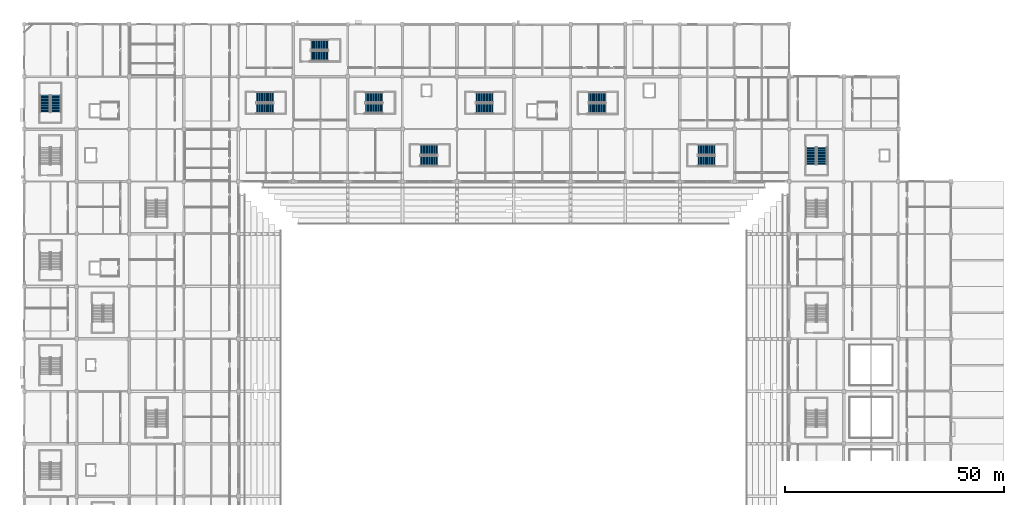
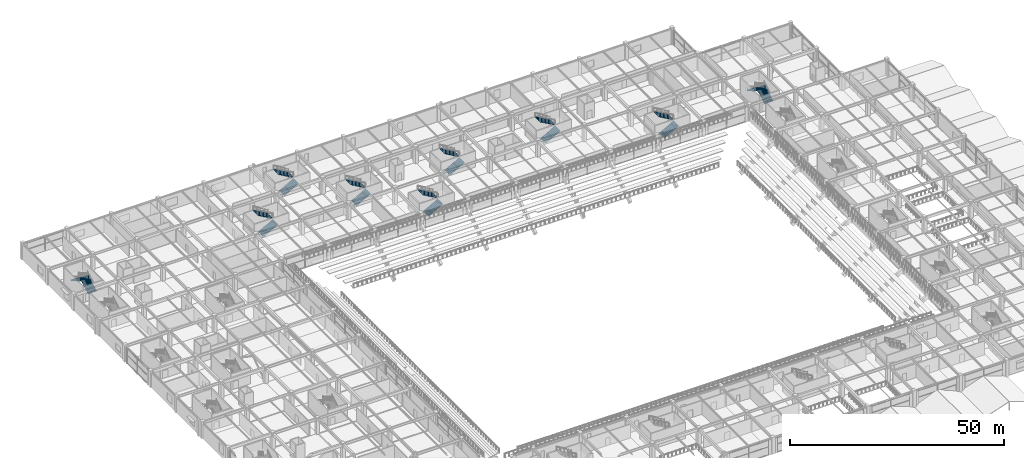
# One storey, part 96 of 134: 18 stair flights, 9 elements without a shape of their own.
"""IFC4 building model written with IfcOpenShell, lengths in metres."""

from ifc_helpers import new_model, si_unit, direction, frame, origin, place, context, subcontext, project, spatial, polyline, outline, extrude, material, type_object, element, aggregate, save


model = new_model("IFC4")

# Units and contexts
model_context = context("Model", 3, precision=1e-05, world=origin(), true_north=direction((0.0, 1.0)))
body_context = subcontext(model_context, "Body", "Model", "MODEL_VIEW")
ifc_project = project(units=[si_unit("LENGTHUNIT", "METRE"), si_unit("AREAUNIT", "SQUARE_METRE"), si_unit("VOLUMEUNIT", "CUBIC_METRE"), si_unit("PLANEANGLEUNIT", "RADIAN"), si_unit("MASSUNIT", "GRAM", prefix="KILO")], contexts=[model_context])

# Site, building, storey
site_placement = place(None, origin())
site = spatial("IfcSite", under=ifc_project, at=site_placement, CompositionType="ELEMENT")
building_placement = place(site_placement, origin())
building = spatial("IfcBuilding", under=site, at=building_placement, Name="Kazenohara Klinker Stadium", CompositionType="ELEMENT")
storey_placement = place(building_placement, frame((0.0, 0.0, 5.39990234375)))
storey = spatial("IfcBuildingStorey", under=building, at=storey_placement, Name="L01", CompositionType="ELEMENT", Elevation=5.39990234375)

# Stair, stair flights
ifc_material = material(Name="Concrete C40/50", Category="concrete")
stair_type_1 = type_object("IfcStairType", Name="STR-DL-2300", PredefinedType="HALF_TURN_STAIR", material=ifc_material)
stair_1_placement = place(storey_placement, origin())
stair_1 = element("IfcStair", 1, at=stair_1_placement, inside=storey, type_object=stair_type_1, Name="L01 Enclosed escape stair ST09", PredefinedType="HALF_TURN_STAIR")
stair_flight_type_1 = type_object("IfcStairFlightType", Name="FLT-DL-2300-4800", PredefinedType="STRAIGHT", material=ifc_material)
stair_flight_1_placement = place(storey_placement, frame((78.090087890625, 148.75, 0.0), z_axis=(0.0, 0.0, 1.0), x_axis=(1.0, 0.0, 0.0)))
stair_flight_1 = element("IfcStairFlight", 2, at=stair_flight_1_placement, type_object=stair_flight_type_1, Name="ST09 flight 1", NumberOfRisers=15, NumberOfTreads=14, PredefinedType="STRAIGHT", RiserHeight=0.16, TreadLength=0.28, context=body_context, shape_type="SweptSolid", body=[
    extrude(outline(polyline([(0.0, 0.0), (0.0, 0.159912109375), (0.280029296875, 0.159912109375), (0.280029296875, 0.320068359375), (0.56005859375, 0.320068359375), (0.56005859375, 0.47998046875), (0.840087890625, 0.47998046875), (0.840087890625, 0.639892578125), (1.1201171875, 0.639892578125), (1.1201171875, 0.800048828125), (1.39990234375, 0.800048828125), (1.39990234375, 0.9599609375), (1.679931640625, 0.9599609375), (1.679931640625, 1.1201171875), (1.9599609375, 1.1201171875), (1.9599609375, 1.280029296875), (2.239990234375, 1.280029296875), (2.239990234375, 1.43994140625), (2.52001953125, 1.43994140625), (2.52001953125, 1.60009765625), (2.800048828125, 1.60009765625), (2.800048828125, 1.760009765625), (3.080078125, 1.760009765625), (3.080078125, 1.919921875), (3.360107421875, 1.919921875), (3.360107421875, 2.080078125), (3.639892578125, 2.080078125), (3.639892578125, 2.239990234375), (3.919921875, 2.239990234375), (3.919921875, 2.39990234375), (3.919921875, 2.0673828125), (0.30224609375, 0.0), (0.0, 0.0)])), frame((0.0, 1.14990234375, 0.0), z_axis=(0.0, -1.0, 0.0), x_axis=(1.0, 0.0, 0.0)), (0.0, 0.0, 1.0), 2.300048828125),
])
stair_flight_2_placement = place(storey_placement, frame((82.010009765625, 151.25, 2.400146484375), z_axis=(0.0, 0.0, 1.0), x_axis=(-1.0, 0.0, 0.0)))
stair_flight_2 = element("IfcStairFlight", 3, at=stair_flight_2_placement, type_object=stair_flight_type_1, Name="ST09 flight 2", NumberOfRisers=15, NumberOfTreads=14, PredefinedType="STRAIGHT", RiserHeight=0.16, TreadLength=0.28, context=body_context, shape_type="SweptSolid", body=[
    extrude(outline(polyline([(0.0, 0.0), (0.0, 0.159912109375), (0.280029296875, 0.159912109375), (0.280029296875, 0.320068359375), (0.56005859375, 0.320068359375), (0.56005859375, 0.47998046875), (0.840087890625, 0.47998046875), (0.840087890625, 0.639892578125), (1.1201171875, 0.639892578125), (1.1201171875, 0.800048828125), (1.39990234375, 0.800048828125), (1.39990234375, 0.9599609375), (1.679931640625, 0.9599609375), (1.679931640625, 1.1201171875), (1.9599609375, 1.1201171875), (1.9599609375, 1.280029296875), (2.239990234375, 1.280029296875), (2.239990234375, 1.43994140625), (2.52001953125, 1.43994140625), (2.52001953125, 1.60009765625), (2.800048828125, 1.60009765625), (2.800048828125, 1.760009765625), (3.080078125, 1.760009765625), (3.080078125, 1.919921875), (3.360107421875, 1.919921875), (3.360107421875, 2.080078125), (3.639892578125, 2.080078125), (3.639892578125, 2.239990234375), (3.919921875, 2.239990234375), (3.919921875, 2.39990234375), (3.919921875, 2.0673828125), (0.30224609375, 0.0), (0.0, 0.0)])), frame((0.0, 1.14990234375, 0.0), z_axis=(0.0, -1.0, 0.0), x_axis=(1.0, 0.0, 0.0)), (0.0, 0.0, 1.0), 2.300048828125),
])
aggregate(stair_1, [stair_flight_1, stair_flight_2])

stair_type_2 = type_object("IfcStairType", Name="STR-DL-2310", PredefinedType="HALF_TURN_STAIR", material=ifc_material)
stair_2_placement = place(storey_placement, origin())
stair_2 = element("IfcStair", 4, at=stair_2_placement, inside=storey, type_object=stair_type_2, Name="L01 Enclosed escape stair ST06", PredefinedType="HALF_TURN_STAIR")
stair_flight_type_2 = type_object("IfcStairFlightType", Name="FLT-DL-2310-4800", PredefinedType="STRAIGHT", material=ifc_material)
stair_flight_3_placement = place(storey_placement, frame((7.2548828125, 147.85009765625, 0.0), z_axis=(0.0, 0.0, 1.0), x_axis=(0.0, 1.0, 0.0)))
stair_flight_3 = element("IfcStairFlight", 5, at=stair_flight_3_placement, type_object=stair_flight_type_2, Name="ST06 flight 1", NumberOfRisers=15, NumberOfTreads=14, PredefinedType="STRAIGHT", RiserHeight=0.16, TreadLength=0.28, context=body_context, shape_type="SweptSolid", body=[
    extrude(outline(polyline([(0.0, 0.0), (0.0, 0.159912109375), (0.280029296875, 0.159912109375), (0.280029296875, 0.320068359375), (0.56005859375, 0.320068359375), (0.56005859375, 0.47998046875), (0.840087890625, 0.47998046875), (0.840087890625, 0.639892578125), (1.1201171875, 0.639892578125), (1.1201171875, 0.800048828125), (1.39990234375, 0.800048828125), (1.39990234375, 0.9599609375), (1.679931640625, 0.9599609375), (1.679931640625, 1.1201171875), (1.9599609375, 1.1201171875), (1.9599609375, 1.280029296875), (2.239990234375, 1.280029296875), (2.239990234375, 1.43994140625), (2.52001953125, 1.43994140625), (2.52001953125, 1.60009765625), (2.800048828125, 1.60009765625), (2.800048828125, 1.760009765625), (3.080078125, 1.760009765625), (3.080078125, 1.919921875), (3.360107421875, 1.919921875), (3.360107421875, 2.080078125), (3.639892578125, 2.080078125), (3.639892578125, 2.239990234375), (3.919921875, 2.239990234375), (3.919921875, 2.39990234375), (3.919921875, 2.0673828125), (0.30224609375, 0.0), (0.0, 0.0)])), frame((0.0, 1.155029296875, 0.0), z_axis=(0.0, -1.0, 0.0), x_axis=(1.0, 0.0, 0.0)), (0.0, 0.0, 1.0), 2.31005859375),
])
stair_flight_4_placement = place(storey_placement, frame((4.7451171875, 151.77001953125, 2.400146484375), z_axis=(0.0, 0.0, 1.0), x_axis=(0.0, -1.0, 0.0)))
stair_flight_4 = element("IfcStairFlight", 6, at=stair_flight_4_placement, type_object=stair_flight_type_2, Name="ST06 flight 2", NumberOfRisers=15, NumberOfTreads=14, PredefinedType="STRAIGHT", RiserHeight=0.16, TreadLength=0.28, context=body_context, shape_type="SweptSolid", body=[
    extrude(outline(polyline([(0.0, 0.0), (0.0, 0.159912109375), (0.280029296875, 0.159912109375), (0.280029296875, 0.320068359375), (0.56005859375, 0.320068359375), (0.56005859375, 0.47998046875), (0.840087890625, 0.47998046875), (0.840087890625, 0.639892578125), (1.1201171875, 0.639892578125), (1.1201171875, 0.800048828125), (1.39990234375, 0.800048828125), (1.39990234375, 0.9599609375), (1.679931640625, 0.9599609375), (1.679931640625, 1.1201171875), (1.9599609375, 1.1201171875), (1.9599609375, 1.280029296875), (2.239990234375, 1.280029296875), (2.239990234375, 1.43994140625), (2.52001953125, 1.43994140625), (2.52001953125, 1.60009765625), (2.800048828125, 1.60009765625), (2.800048828125, 1.760009765625), (3.080078125, 1.760009765625), (3.080078125, 1.919921875), (3.360107421875, 1.919921875), (3.360107421875, 2.080078125), (3.639892578125, 2.080078125), (3.639892578125, 2.239990234375), (3.919921875, 2.239990234375), (3.919921875, 2.39990234375), (3.919921875, 2.0673828125), (0.30224609375, 0.0), (0.0, 0.0)])), frame((0.0, 1.155029296875, 0.0), z_axis=(0.0, -1.0, 0.0), x_axis=(1.0, 0.0, 0.0)), (0.0, 0.0, 1.0), 2.31005859375),
])
aggregate(stair_2, [stair_flight_3, stair_flight_4])

stair_3_placement = place(storey_placement, origin())
stair_3 = element("IfcStair", 7, at=stair_3_placement, inside=storey, type_object=stair_type_2, Name="L01 Enclosed escape stair ST10", PredefinedType="HALF_TURN_STAIR")
stair_flight_5_placement = place(storey_placement, frame((103.35009765625, 148.7451171875, 0.0), z_axis=(0.0, 0.0, 1.0), x_axis=(1.0, 0.0, 0.0)))
stair_flight_5 = element("IfcStairFlight", 8, at=stair_flight_5_placement, type_object=stair_flight_type_2, Name="ST10 flight 1", NumberOfRisers=15, NumberOfTreads=14, PredefinedType="STRAIGHT", RiserHeight=0.16, TreadLength=0.28, context=body_context, shape_type="SweptSolid", body=[
    extrude(outline(polyline([(0.0, 0.0), (0.0, 0.159912109375), (0.280029296875, 0.159912109375), (0.280029296875, 0.320068359375), (0.56005859375, 0.320068359375), (0.56005859375, 0.47998046875), (0.840087890625, 0.47998046875), (0.840087890625, 0.639892578125), (1.1201171875, 0.639892578125), (1.1201171875, 0.800048828125), (1.39990234375, 0.800048828125), (1.39990234375, 0.9599609375), (1.679931640625, 0.9599609375), (1.679931640625, 1.1201171875), (1.9599609375, 1.1201171875), (1.9599609375, 1.280029296875), (2.239990234375, 1.280029296875), (2.239990234375, 1.43994140625), (2.52001953125, 1.43994140625), (2.52001953125, 1.60009765625), (2.800048828125, 1.60009765625), (2.800048828125, 1.760009765625), (3.080078125, 1.760009765625), (3.080078125, 1.919921875), (3.360107421875, 1.919921875), (3.360107421875, 2.080078125), (3.639892578125, 2.080078125), (3.639892578125, 2.239990234375), (3.919921875, 2.239990234375), (3.919921875, 2.39990234375), (3.919921875, 2.0673828125), (0.30224609375, 0.0), (0.0, 0.0)])), frame((0.0, 1.155029296875, 0.0), z_axis=(0.0, -1.0, 0.0), x_axis=(1.0, 0.0, 0.0)), (0.0, 0.0, 1.0), 2.31005859375),
])
stair_flight_6_placement = place(storey_placement, frame((107.27001953125, 151.2548828125, 2.400146484375), z_axis=(0.0, 0.0, 1.0), x_axis=(-1.0, 0.0, 0.0)))
stair_flight_6 = element("IfcStairFlight", 9, at=stair_flight_6_placement, type_object=stair_flight_type_2, Name="ST10 flight 2", NumberOfRisers=15, NumberOfTreads=14, PredefinedType="STRAIGHT", RiserHeight=0.16, TreadLength=0.28, context=body_context, shape_type="SweptSolid", body=[
    extrude(outline(polyline([(0.0, 0.0), (0.0, 0.159912109375), (0.280029296875, 0.159912109375), (0.280029296875, 0.320068359375), (0.56005859375, 0.320068359375), (0.56005859375, 0.47998046875), (0.840087890625, 0.47998046875), (0.840087890625, 0.639892578125), (1.1201171875, 0.639892578125), (1.1201171875, 0.800048828125), (1.39990234375, 0.800048828125), (1.39990234375, 0.9599609375), (1.679931640625, 0.9599609375), (1.679931640625, 1.1201171875), (1.9599609375, 1.1201171875), (1.9599609375, 1.280029296875), (2.239990234375, 1.280029296875), (2.239990234375, 1.43994140625), (2.52001953125, 1.43994140625), (2.52001953125, 1.60009765625), (2.800048828125, 1.60009765625), (2.800048828125, 1.760009765625), (3.080078125, 1.760009765625), (3.080078125, 1.919921875), (3.360107421875, 1.919921875), (3.360107421875, 2.080078125), (3.639892578125, 2.080078125), (3.639892578125, 2.239990234375), (3.919921875, 2.239990234375), (3.919921875, 2.39990234375), (3.919921875, 2.0673828125), (0.30224609375, 0.0), (0.0, 0.0)])), frame((0.0, 1.155029296875, 0.0), z_axis=(0.0, -1.0, 0.0), x_axis=(1.0, 0.0, 0.0)), (0.0, 0.0, 1.0), 2.31005859375),
])
aggregate(stair_3, [stair_flight_5, stair_flight_6])

stair_type_3 = type_object("IfcStairType", Name="STR-DL-2330", PredefinedType="HALF_TURN_STAIR", material=ifc_material)
stair_4_placement = place(storey_placement, origin())
stair_4 = element("IfcStair", 10, at=stair_4_placement, inside=storey, type_object=stair_type_3, Name="L01 Enclosed escape stair ST11", PredefinedType="HALF_TURN_STAIR")
stair_flight_type_3 = type_object("IfcStairFlightType", Name="FLT-DL-2330-4800", PredefinedType="STRAIGHT", material=ifc_material)
stair_flight_7_placement = place(storey_placement, frame((129.1201171875, 148.735107421875, 0.0), z_axis=(0.0, 0.0, 1.0), x_axis=(1.0, 0.0, 0.0)))
stair_flight_7 = element("IfcStairFlight", 11, at=stair_flight_7_placement, type_object=stair_flight_type_3, Name="ST11 flight 1", NumberOfRisers=15, NumberOfTreads=14, PredefinedType="STRAIGHT", RiserHeight=0.16, TreadLength=0.28, context=body_context, shape_type="SweptSolid", body=[
    extrude(outline(polyline([(0.0, 0.0), (0.0, 0.159912109375), (0.280029296875, 0.159912109375), (0.280029296875, 0.320068359375), (0.56005859375, 0.320068359375), (0.56005859375, 0.47998046875), (0.840087890625, 0.47998046875), (0.840087890625, 0.639892578125), (1.1201171875, 0.639892578125), (1.1201171875, 0.800048828125), (1.39990234375, 0.800048828125), (1.39990234375, 0.9599609375), (1.679931640625, 0.9599609375), (1.679931640625, 1.1201171875), (1.9599609375, 1.1201171875), (1.9599609375, 1.280029296875), (2.239990234375, 1.280029296875), (2.239990234375, 1.43994140625), (2.52001953125, 1.43994140625), (2.52001953125, 1.60009765625), (2.800048828125, 1.60009765625), (2.800048828125, 1.760009765625), (3.080078125, 1.760009765625), (3.080078125, 1.919921875), (3.360107421875, 1.919921875), (3.360107421875, 2.080078125), (3.639892578125, 2.080078125), (3.639892578125, 2.239990234375), (3.919921875, 2.239990234375), (3.919921875, 2.39990234375), (3.919921875, 2.0673828125), (0.30224609375, 0.0), (0.0, 0.0)])), frame((0.0, 1.1650390625, 0.0), z_axis=(0.0, -1.0, 0.0), x_axis=(1.0, 0.0, 0.0)), (0.0, 0.0, 1.0), 2.330078125),
])
stair_flight_8_placement = place(storey_placement, frame((133.0400390625, 151.264892578125, 2.400146484375), z_axis=(0.0, 0.0, 1.0), x_axis=(-1.0, 0.0, 0.0)))
stair_flight_8 = element("IfcStairFlight", 12, at=stair_flight_8_placement, type_object=stair_flight_type_3, Name="ST11 flight 2", NumberOfRisers=15, NumberOfTreads=14, PredefinedType="STRAIGHT", RiserHeight=0.16, TreadLength=0.28, context=body_context, shape_type="SweptSolid", body=[
    extrude(outline(polyline([(0.0, 0.0), (0.0, 0.159912109375), (0.280029296875, 0.159912109375), (0.280029296875, 0.320068359375), (0.56005859375, 0.320068359375), (0.56005859375, 0.47998046875), (0.840087890625, 0.47998046875), (0.840087890625, 0.639892578125), (1.1201171875, 0.639892578125), (1.1201171875, 0.800048828125), (1.39990234375, 0.800048828125), (1.39990234375, 0.9599609375), (1.679931640625, 0.9599609375), (1.679931640625, 1.1201171875), (1.9599609375, 1.1201171875), (1.9599609375, 1.280029296875), (2.239990234375, 1.280029296875), (2.239990234375, 1.43994140625), (2.52001953125, 1.43994140625), (2.52001953125, 1.60009765625), (2.800048828125, 1.60009765625), (2.800048828125, 1.760009765625), (3.080078125, 1.760009765625), (3.080078125, 1.919921875), (3.360107421875, 1.919921875), (3.360107421875, 2.080078125), (3.639892578125, 2.080078125), (3.639892578125, 2.239990234375), (3.919921875, 2.239990234375), (3.919921875, 2.39990234375), (3.919921875, 2.0673828125), (0.30224609375, 0.0), (0.0, 0.0)])), frame((0.0, 1.1650390625, 0.0), z_axis=(0.0, -1.0, 0.0), x_axis=(1.0, 0.0, 0.0)), (0.0, 0.0, 1.0), 2.330078125),
])
aggregate(stair_4, [stair_flight_7, stair_flight_8])

stair_5_placement = place(storey_placement, origin())
stair_5 = element("IfcStair", 13, at=stair_5_placement, inside=storey, type_object=stair_type_3, Name="L01 Enclosed escape stair ST15", PredefinedType="HALF_TURN_STAIR")
stair_flight_9_placement = place(storey_placement, frame((65.6201171875, 160.735107421875, 0.0), z_axis=(0.0, 0.0, 1.0), x_axis=(1.0, 0.0, 0.0)))
stair_flight_9 = element("IfcStairFlight", 14, at=stair_flight_9_placement, type_object=stair_flight_type_3, Name="ST15 flight 1", NumberOfRisers=15, NumberOfTreads=14, PredefinedType="STRAIGHT", RiserHeight=0.16, TreadLength=0.28, context=body_context, shape_type="SweptSolid", body=[
    extrude(outline(polyline([(0.0, 0.0), (0.0, 0.159912109375), (0.280029296875, 0.159912109375), (0.280029296875, 0.320068359375), (0.56005859375, 0.320068359375), (0.56005859375, 0.47998046875), (0.840087890625, 0.47998046875), (0.840087890625, 0.639892578125), (1.1201171875, 0.639892578125), (1.1201171875, 0.800048828125), (1.39990234375, 0.800048828125), (1.39990234375, 0.9599609375), (1.679931640625, 0.9599609375), (1.679931640625, 1.1201171875), (1.9599609375, 1.1201171875), (1.9599609375, 1.280029296875), (2.239990234375, 1.280029296875), (2.239990234375, 1.43994140625), (2.52001953125, 1.43994140625), (2.52001953125, 1.60009765625), (2.800048828125, 1.60009765625), (2.800048828125, 1.760009765625), (3.080078125, 1.760009765625), (3.080078125, 1.919921875), (3.360107421875, 1.919921875), (3.360107421875, 2.080078125), (3.639892578125, 2.080078125), (3.639892578125, 2.239990234375), (3.919921875, 2.239990234375), (3.919921875, 2.39990234375), (3.919921875, 2.0673828125), (0.30224609375, 0.0), (0.0, 0.0)])), frame((0.0, 1.1650390625, 0.0), z_axis=(0.0, -1.0, 0.0), x_axis=(1.0, 0.0, 0.0)), (0.0, 0.0, 1.0), 2.330078125),
])
stair_flight_10_placement = place(storey_placement, frame((69.5400390625, 163.264892578125, 2.400146484375), z_axis=(0.0, 0.0, 1.0), x_axis=(-1.0, 0.0, 0.0)))
stair_flight_10 = element("IfcStairFlight", 15, at=stair_flight_10_placement, type_object=stair_flight_type_3, Name="ST15 flight 2", NumberOfRisers=15, NumberOfTreads=14, PredefinedType="STRAIGHT", RiserHeight=0.16, TreadLength=0.28, context=body_context, shape_type="SweptSolid", body=[
    extrude(outline(polyline([(0.0, 0.0), (0.0, 0.159912109375), (0.280029296875, 0.159912109375), (0.280029296875, 0.320068359375), (0.56005859375, 0.320068359375), (0.56005859375, 0.47998046875), (0.840087890625, 0.47998046875), (0.840087890625, 0.639892578125), (1.1201171875, 0.639892578125), (1.1201171875, 0.800048828125), (1.39990234375, 0.800048828125), (1.39990234375, 0.9599609375), (1.679931640625, 0.9599609375), (1.679931640625, 1.1201171875), (1.9599609375, 1.1201171875), (1.9599609375, 1.280029296875), (2.239990234375, 1.280029296875), (2.239990234375, 1.43994140625), (2.52001953125, 1.43994140625), (2.52001953125, 1.60009765625), (2.800048828125, 1.60009765625), (2.800048828125, 1.760009765625), (3.080078125, 1.760009765625), (3.080078125, 1.919921875), (3.360107421875, 1.919921875), (3.360107421875, 2.080078125), (3.639892578125, 2.080078125), (3.639892578125, 2.239990234375), (3.919921875, 2.239990234375), (3.919921875, 2.39990234375), (3.919921875, 2.0673828125), (0.30224609375, 0.0), (0.0, 0.0)])), frame((0.0, 1.1650390625, 0.0), z_axis=(0.0, -1.0, 0.0), x_axis=(1.0, 0.0, 0.0)), (0.0, 0.0, 1.0), 2.330078125),
])
aggregate(stair_5, [stair_flight_9, stair_flight_10])

stair_6_placement = place(storey_placement, origin())
stair_6 = element("IfcStair", 16, at=stair_6_placement, inside=storey, type_object=stair_type_3, Name="L01 Enclosed escape stair ST19", PredefinedType="HALF_TURN_STAIR")
stair_flight_11_placement = place(storey_placement, frame((90.6201171875, 136.735107421875, 0.0), z_axis=(0.0, 0.0, 1.0), x_axis=(1.0, 0.0, 0.0)))
stair_flight_11 = element("IfcStairFlight", 17, at=stair_flight_11_placement, type_object=stair_flight_type_3, Name="ST19 flight 1", NumberOfRisers=15, NumberOfTreads=14, PredefinedType="STRAIGHT", RiserHeight=0.16, TreadLength=0.28, context=body_context, shape_type="SweptSolid", body=[
    extrude(outline(polyline([(0.0, 0.0), (0.0, 0.159912109375), (0.280029296875, 0.159912109375), (0.280029296875, 0.320068359375), (0.56005859375, 0.320068359375), (0.56005859375, 0.47998046875), (0.840087890625, 0.47998046875), (0.840087890625, 0.639892578125), (1.1201171875, 0.639892578125), (1.1201171875, 0.800048828125), (1.39990234375, 0.800048828125), (1.39990234375, 0.9599609375), (1.679931640625, 0.9599609375), (1.679931640625, 1.1201171875), (1.9599609375, 1.1201171875), (1.9599609375, 1.280029296875), (2.239990234375, 1.280029296875), (2.239990234375, 1.43994140625), (2.52001953125, 1.43994140625), (2.52001953125, 1.60009765625), (2.800048828125, 1.60009765625), (2.800048828125, 1.760009765625), (3.080078125, 1.760009765625), (3.080078125, 1.919921875), (3.360107421875, 1.919921875), (3.360107421875, 2.080078125), (3.639892578125, 2.080078125), (3.639892578125, 2.239990234375), (3.919921875, 2.239990234375), (3.919921875, 2.39990234375), (3.919921875, 2.0673828125), (0.30224609375, 0.0), (0.0, 0.0)])), frame((0.0, 1.1650390625, 0.0), z_axis=(0.0, -1.0, 0.0), x_axis=(1.0, 0.0, 0.0)), (0.0, 0.0, 1.0), 2.330078125),
])
stair_flight_12_placement = place(storey_placement, frame((94.5400390625, 139.264892578125, 2.400146484375), z_axis=(0.0, 0.0, 1.0), x_axis=(-1.0, 0.0, 0.0)))
stair_flight_12 = element("IfcStairFlight", 18, at=stair_flight_12_placement, type_object=stair_flight_type_3, Name="ST19 flight 2", NumberOfRisers=15, NumberOfTreads=14, PredefinedType="STRAIGHT", RiserHeight=0.16, TreadLength=0.28, context=body_context, shape_type="SweptSolid", body=[
    extrude(outline(polyline([(0.0, 0.0), (0.0, 0.159912109375), (0.280029296875, 0.159912109375), (0.280029296875, 0.320068359375), (0.56005859375, 0.320068359375), (0.56005859375, 0.47998046875), (0.840087890625, 0.47998046875), (0.840087890625, 0.639892578125), (1.1201171875, 0.639892578125), (1.1201171875, 0.800048828125), (1.39990234375, 0.800048828125), (1.39990234375, 0.9599609375), (1.679931640625, 0.9599609375), (1.679931640625, 1.1201171875), (1.9599609375, 1.1201171875), (1.9599609375, 1.280029296875), (2.239990234375, 1.280029296875), (2.239990234375, 1.43994140625), (2.52001953125, 1.43994140625), (2.52001953125, 1.60009765625), (2.800048828125, 1.60009765625), (2.800048828125, 1.760009765625), (3.080078125, 1.760009765625), (3.080078125, 1.919921875), (3.360107421875, 1.919921875), (3.360107421875, 2.080078125), (3.639892578125, 2.080078125), (3.639892578125, 2.239990234375), (3.919921875, 2.239990234375), (3.919921875, 2.39990234375), (3.919921875, 2.0673828125), (0.30224609375, 0.0), (0.0, 0.0)])), frame((0.0, 1.1650390625, 0.0), z_axis=(0.0, -1.0, 0.0), x_axis=(1.0, 0.0, 0.0)), (0.0, 0.0, 1.0), 2.330078125),
])
aggregate(stair_6, [stair_flight_11, stair_flight_12])

stair_type_4 = type_object("IfcStairType", Name="STR-DL-2340", PredefinedType="HALF_TURN_STAIR", material=ifc_material)
stair_7_placement = place(storey_placement, origin())
stair_7 = element("IfcStair", 19, at=stair_7_placement, inside=storey, type_object=stair_type_4, Name="L01 Enclosed escape stair ST08", PredefinedType="HALF_TURN_STAIR")
stair_flight_type_4 = type_object("IfcStairFlightType", Name="FLT-DL-2340-4800", PredefinedType="STRAIGHT", material=ifc_material)
stair_flight_13_placement = place(storey_placement, frame((53.1298828125, 148.72998046875, 0.0), z_axis=(0.0, 0.0, 1.0), x_axis=(1.0, 0.0, 0.0)))
stair_flight_13 = element("IfcStairFlight", 20, at=stair_flight_13_placement, type_object=stair_flight_type_4, Name="ST08 flight 1", NumberOfRisers=15, NumberOfTreads=14, PredefinedType="STRAIGHT", RiserHeight=0.16, TreadLength=0.28, context=body_context, shape_type="SweptSolid", body=[
    extrude(outline(polyline([(0.0, 0.0), (0.0, 0.159912109375), (0.280029296875, 0.159912109375), (0.280029296875, 0.320068359375), (0.56005859375, 0.320068359375), (0.56005859375, 0.47998046875), (0.840087890625, 0.47998046875), (0.840087890625, 0.639892578125), (1.1201171875, 0.639892578125), (1.1201171875, 0.800048828125), (1.39990234375, 0.800048828125), (1.39990234375, 0.9599609375), (1.679931640625, 0.9599609375), (1.679931640625, 1.1201171875), (1.9599609375, 1.1201171875), (1.9599609375, 1.280029296875), (2.239990234375, 1.280029296875), (2.239990234375, 1.43994140625), (2.52001953125, 1.43994140625), (2.52001953125, 1.60009765625), (2.800048828125, 1.60009765625), (2.800048828125, 1.760009765625), (3.080078125, 1.760009765625), (3.080078125, 1.919921875), (3.360107421875, 1.919921875), (3.360107421875, 2.080078125), (3.639892578125, 2.080078125), (3.639892578125, 2.239990234375), (3.919921875, 2.239990234375), (3.919921875, 2.39990234375), (3.919921875, 2.0673828125), (0.30224609375, 0.0), (0.0, 0.0)])), frame((0.0, 1.169921875, 0.0), z_axis=(0.0, -1.0, 0.0), x_axis=(1.0, 0.0, 0.0)), (0.0, 0.0, 1.0), 2.340087890625),
])
stair_flight_14_placement = place(storey_placement, frame((57.050048828125, 151.27001953125, 2.400146484375), z_axis=(0.0, 0.0, 1.0), x_axis=(-1.0, 0.0, 0.0)))
stair_flight_14 = element("IfcStairFlight", 21, at=stair_flight_14_placement, type_object=stair_flight_type_4, Name="ST08 flight 2", NumberOfRisers=15, NumberOfTreads=14, PredefinedType="STRAIGHT", RiserHeight=0.16, TreadLength=0.28, context=body_context, shape_type="SweptSolid", body=[
    extrude(outline(polyline([(0.0, 0.0), (0.0, 0.159912109375), (0.280029296875, 0.159912109375), (0.280029296875, 0.320068359375), (0.56005859375, 0.320068359375), (0.56005859375, 0.47998046875), (0.840087890625, 0.47998046875), (0.840087890625, 0.639892578125), (1.1201171875, 0.639892578125), (1.1201171875, 0.800048828125), (1.39990234375, 0.800048828125), (1.39990234375, 0.9599609375), (1.679931640625, 0.9599609375), (1.679931640625, 1.1201171875), (1.9599609375, 1.1201171875), (1.9599609375, 1.280029296875), (2.239990234375, 1.280029296875), (2.239990234375, 1.43994140625), (2.52001953125, 1.43994140625), (2.52001953125, 1.60009765625), (2.800048828125, 1.60009765625), (2.800048828125, 1.760009765625), (3.080078125, 1.760009765625), (3.080078125, 1.919921875), (3.360107421875, 1.919921875), (3.360107421875, 2.080078125), (3.639892578125, 2.080078125), (3.639892578125, 2.239990234375), (3.919921875, 2.239990234375), (3.919921875, 2.39990234375), (3.919921875, 2.0673828125), (0.30224609375, 0.0), (0.0, 0.0)])), frame((0.0, 1.169921875, 0.0), z_axis=(0.0, -1.0, 0.0), x_axis=(1.0, 0.0, 0.0)), (0.0, 0.0, 1.0), 2.340087890625),
])
aggregate(stair_7, [stair_flight_13, stair_flight_14])

stair_8_placement = place(storey_placement, origin())
stair_8 = element("IfcStair", 22, at=stair_8_placement, inside=storey, type_object=stair_type_4, Name="L01 Enclosed escape stair ST12", PredefinedType="HALF_TURN_STAIR")
stair_flight_15_placement = place(storey_placement, frame((182.52001953125, 135.8798828125, 0.0), z_axis=(0.0, 0.0, 1.0), x_axis=(0.0, 1.0, 0.0)))
stair_flight_15 = element("IfcStairFlight", 23, at=stair_flight_15_placement, type_object=stair_flight_type_4, Name="ST12 flight 1", NumberOfRisers=15, NumberOfTreads=14, PredefinedType="STRAIGHT", RiserHeight=0.16, TreadLength=0.28, context=body_context, shape_type="SweptSolid", body=[
    extrude(outline(polyline([(0.0, 0.0), (0.0, 0.159912109375), (0.280029296875, 0.159912109375), (0.280029296875, 0.320068359375), (0.56005859375, 0.320068359375), (0.56005859375, 0.47998046875), (0.840087890625, 0.47998046875), (0.840087890625, 0.639892578125), (1.1201171875, 0.639892578125), (1.1201171875, 0.800048828125), (1.39990234375, 0.800048828125), (1.39990234375, 0.9599609375), (1.679931640625, 0.9599609375), (1.679931640625, 1.1201171875), (1.9599609375, 1.1201171875), (1.9599609375, 1.280029296875), (2.239990234375, 1.280029296875), (2.239990234375, 1.43994140625), (2.52001953125, 1.43994140625), (2.52001953125, 1.60009765625), (2.800048828125, 1.60009765625), (2.800048828125, 1.760009765625), (3.080078125, 1.760009765625), (3.080078125, 1.919921875), (3.360107421875, 1.919921875), (3.360107421875, 2.080078125), (3.639892578125, 2.080078125), (3.639892578125, 2.239990234375), (3.919921875, 2.239990234375), (3.919921875, 2.39990234375), (3.919921875, 2.0673828125), (0.30224609375, 0.0), (0.0, 0.0)])), frame((0.0, 1.169921875, 0.0), z_axis=(0.0, -1.0, 0.0), x_axis=(1.0, 0.0, 0.0)), (0.0, 0.0, 1.0), 2.340087890625),
])
stair_flight_16_placement = place(storey_placement, frame((179.97998046875, 139.800048828125, 2.400146484375), z_axis=(0.0, 0.0, 1.0), x_axis=(0.0, -1.0, 0.0)))
stair_flight_16 = element("IfcStairFlight", 24, at=stair_flight_16_placement, type_object=stair_flight_type_4, Name="ST12 flight 2", NumberOfRisers=15, NumberOfTreads=14, PredefinedType="STRAIGHT", RiserHeight=0.16, TreadLength=0.28, context=body_context, shape_type="SweptSolid", body=[
    extrude(outline(polyline([(0.0, 0.0), (0.0, 0.159912109375), (0.280029296875, 0.159912109375), (0.280029296875, 0.320068359375), (0.56005859375, 0.320068359375), (0.56005859375, 0.47998046875), (0.840087890625, 0.47998046875), (0.840087890625, 0.639892578125), (1.1201171875, 0.639892578125), (1.1201171875, 0.800048828125), (1.39990234375, 0.800048828125), (1.39990234375, 0.9599609375), (1.679931640625, 0.9599609375), (1.679931640625, 1.1201171875), (1.9599609375, 1.1201171875), (1.9599609375, 1.280029296875), (2.239990234375, 1.280029296875), (2.239990234375, 1.43994140625), (2.52001953125, 1.43994140625), (2.52001953125, 1.60009765625), (2.800048828125, 1.60009765625), (2.800048828125, 1.760009765625), (3.080078125, 1.760009765625), (3.080078125, 1.919921875), (3.360107421875, 1.919921875), (3.360107421875, 2.080078125), (3.639892578125, 2.080078125), (3.639892578125, 2.239990234375), (3.919921875, 2.239990234375), (3.919921875, 2.39990234375), (3.919921875, 2.0673828125), (0.30224609375, 0.0), (0.0, 0.0)])), frame((0.0, 1.169921875, 0.0), z_axis=(0.0, -1.0, 0.0), x_axis=(1.0, 0.0, 0.0)), (0.0, 0.0, 1.0), 2.340087890625),
])
aggregate(stair_8, [stair_flight_15, stair_flight_16])

stair_9_placement = place(storey_placement, origin())
stair_9 = element("IfcStair", 25, at=stair_9_placement, inside=storey, type_object=stair_type_4, Name="L01 Enclosed escape stair ST20", PredefinedType="HALF_TURN_STAIR")
stair_flight_17_placement = place(storey_placement, frame((154.1298828125, 136.72998046875, 0.0), z_axis=(0.0, 0.0, 1.0), x_axis=(1.0, 0.0, 0.0)))
stair_flight_17 = element("IfcStairFlight", 26, at=stair_flight_17_placement, type_object=stair_flight_type_4, Name="ST20 flight 1", NumberOfRisers=15, NumberOfTreads=14, PredefinedType="STRAIGHT", RiserHeight=0.16, TreadLength=0.28, context=body_context, shape_type="SweptSolid", body=[
    extrude(outline(polyline([(0.0, 0.0), (0.0, 0.159912109375), (0.280029296875, 0.159912109375), (0.280029296875, 0.320068359375), (0.56005859375, 0.320068359375), (0.56005859375, 0.47998046875), (0.840087890625, 0.47998046875), (0.840087890625, 0.639892578125), (1.1201171875, 0.639892578125), (1.1201171875, 0.800048828125), (1.39990234375, 0.800048828125), (1.39990234375, 0.9599609375), (1.679931640625, 0.9599609375), (1.679931640625, 1.1201171875), (1.9599609375, 1.1201171875), (1.9599609375, 1.280029296875), (2.239990234375, 1.280029296875), (2.239990234375, 1.43994140625), (2.52001953125, 1.43994140625), (2.52001953125, 1.60009765625), (2.800048828125, 1.60009765625), (2.800048828125, 1.760009765625), (3.080078125, 1.760009765625), (3.080078125, 1.919921875), (3.360107421875, 1.919921875), (3.360107421875, 2.080078125), (3.639892578125, 2.080078125), (3.639892578125, 2.239990234375), (3.919921875, 2.239990234375), (3.919921875, 2.39990234375), (3.919921875, 2.0673828125), (0.30224609375, 0.0), (0.0, 0.0)])), frame((0.0, 1.169921875, 0.0), z_axis=(0.0, -1.0, 0.0), x_axis=(1.0, 0.0, 0.0)), (0.0, 0.0, 1.0), 2.340087890625),
])
stair_flight_18_placement = place(storey_placement, frame((158.050048828125, 139.27001953125, 2.400146484375), z_axis=(0.0, 0.0, 1.0), x_axis=(-1.0, 0.0, 0.0)))
stair_flight_18 = element("IfcStairFlight", 27, at=stair_flight_18_placement, type_object=stair_flight_type_4, Name="ST20 flight 2", NumberOfRisers=15, NumberOfTreads=14, PredefinedType="STRAIGHT", RiserHeight=0.16, TreadLength=0.28, context=body_context, shape_type="SweptSolid", body=[
    extrude(outline(polyline([(0.0, 0.0), (0.0, 0.159912109375), (0.280029296875, 0.159912109375), (0.280029296875, 0.320068359375), (0.56005859375, 0.320068359375), (0.56005859375, 0.47998046875), (0.840087890625, 0.47998046875), (0.840087890625, 0.639892578125), (1.1201171875, 0.639892578125), (1.1201171875, 0.800048828125), (1.39990234375, 0.800048828125), (1.39990234375, 0.9599609375), (1.679931640625, 0.9599609375), (1.679931640625, 1.1201171875), (1.9599609375, 1.1201171875), (1.9599609375, 1.280029296875), (2.239990234375, 1.280029296875), (2.239990234375, 1.43994140625), (2.52001953125, 1.43994140625), (2.52001953125, 1.60009765625), (2.800048828125, 1.60009765625), (2.800048828125, 1.760009765625), (3.080078125, 1.760009765625), (3.080078125, 1.919921875), (3.360107421875, 1.919921875), (3.360107421875, 2.080078125), (3.639892578125, 2.080078125), (3.639892578125, 2.239990234375), (3.919921875, 2.239990234375), (3.919921875, 2.39990234375), (3.919921875, 2.0673828125), (0.30224609375, 0.0), (0.0, 0.0)])), frame((0.0, 1.169921875, 0.0), z_axis=(0.0, -1.0, 0.0), x_axis=(1.0, 0.0, 0.0)), (0.0, 0.0, 1.0), 2.340087890625),
])
aggregate(stair_9, [stair_flight_17, stair_flight_18])

save(model, "model.ifc")
